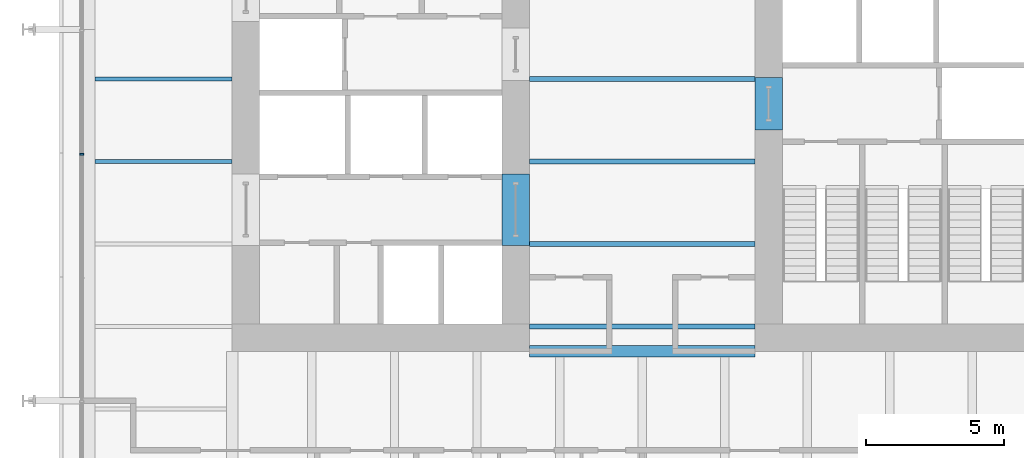
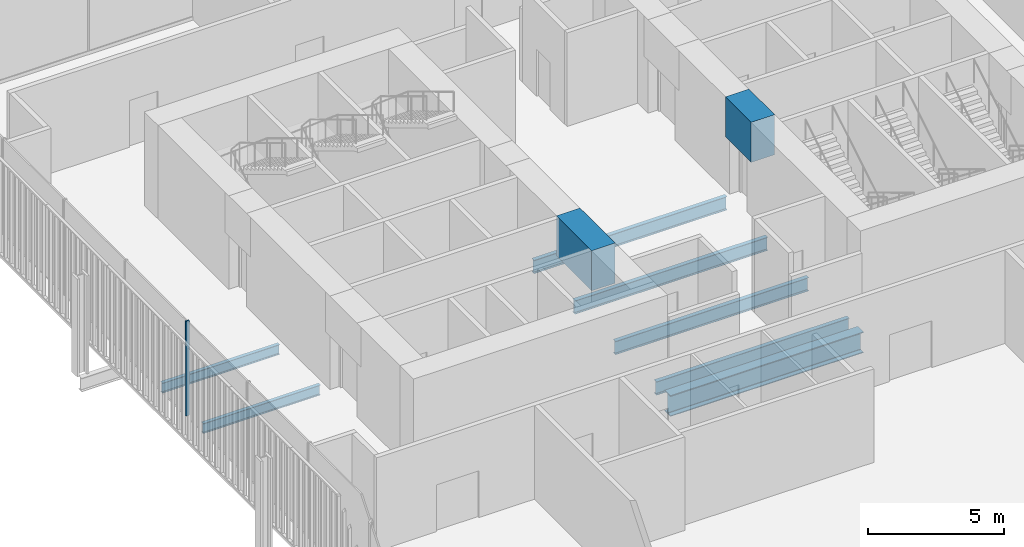
# One storey, part 7 of 20: 9 beams, 1 member, 1 element without a shape of its own.
"""IFC4 building model written with IfcOpenShell, lengths in metres."""

from ifc_helpers import new_model, si_unit, direction, frame, origin, origin_2d, place, context, subcontext, project, spatial, rectangle, i_section, extrude, material, layer, layer_set, material_profile, profile_set, type_object, element, aggregate, save


model = new_model("IFC4")

# Units and contexts
model_context = context("Model", 3, precision=1e-05, world=origin(), true_north=direction((0.0, 1.0)))
body_context = subcontext(model_context, "Body", "Model", "MODEL_VIEW")
ifc_project = project(units=[si_unit("LENGTHUNIT", "METRE"), si_unit("AREAUNIT", "SQUARE_METRE"), si_unit("VOLUMEUNIT", "CUBIC_METRE"), si_unit("PLANEANGLEUNIT", "RADIAN"), si_unit("MASSUNIT", "GRAM", prefix="KILO")], contexts=[model_context])

# Site, building, storey
site_placement = place(None, origin())
site = spatial("IfcSite", under=ifc_project, at=site_placement, CompositionType="ELEMENT")
building_placement = place(site_placement, origin())
building = spatial("IfcBuilding", under=site, at=building_placement, Name="Millrace Tower", CompositionType="ELEMENT")
storey_placement = place(building_placement, frame((0.0, 0.0, 86.39990234375)))
storey = spatial("IfcBuildingStorey", under=building, at=storey_placement, Name="L19", CompositionType="ELEMENT", Elevation=86.39990234375)

# Curtain wall, member
ifc_material_1 = material(Name="Aluminium and glass", Category="aluminium")
ifc_layer = layer(ifc_material_1, 0.14990234375)
ifc_layer_set = layer_set([ifc_layer], Name="Aluminium and glass")
curtain_wall_type = type_object("IfcCurtainWallType", Name="CW-3 telecom floor curtain wall", PredefinedType="NOTDEFINED", material=ifc_layer_set)
curtain_wall_placement = place(storey_placement, origin())
curtain_wall = element("IfcCurtainWall", 1, at=curtain_wall_placement, inside=storey, type_object=curtain_wall_type, Name="Curtain wall B-F08 L19", PredefinedType="NOTDEFINED")
ifc_material_2 = material(Name="Aluminium", Category="aluminium")
ifc_material_profile_1 = material_profile(ifc_material_2, rectangle(XDim=0.06494140625, YDim=0.14990234375, at=origin_2d()))
ifc_profile_set_1 = profile_set([ifc_material_profile_1], Name="Aluminium")
member_type = type_object("IfcMemberType", Name="CW-3 telecom floor curtain wall mullion", PredefinedType="MULLION", material=ifc_profile_set_1)
member_placement = place(storey_placement, frame((-20.375, -2.732421875, 0.150146484375), z_axis=(0.0, 0.0, 1.0), x_axis=(0.0, -1.0, 0.0)))
member = element("IfcMember", 2, at=member_placement, type_object=member_type, Name="CW3 mullion B-F08.5", PredefinedType="MULLION", context=body_context, shape_type="SweptSolid", body=[
    extrude(rectangle(XDim=0.06494140625, YDim=0.14990234375, at=origin_2d()), origin(), (0.0, 0.0, 1.0), 4.25),
])
aggregate(curtain_wall, [member])

# Beams
ifc_material_3 = material(Name="Concrete C80", Category="concrete")
ifc_material_profile_2 = material_profile(ifc_material_3, rectangle(XDim=1.0, YDim=1.800048828125, at=origin_2d()))
ifc_profile_set_2 = profile_set([ifc_material_profile_2], Name="Concrete C80")
beam_type_1 = type_object("IfcBeamType", Name="Coupling beam 1000 x 1800 Concrete C80, 1300 opening", PredefinedType="BEAM", material=ifc_profile_set_2)
beam_1_placement = place(storey_placement, frame((4.60009765625, 0.050048828125, 3.300048828125), z_axis=(0.0, -1.0, 0.0), x_axis=(1.0, 0.0, 0.0)))
element("IfcBeam", 3, at=beam_1_placement, inside=storey, type_object=beam_type_1, Name="Coupling beam E L19", PredefinedType="BEAM", context=body_context, shape_type="SweptSolid", body=[
    extrude(rectangle(XDim=1.0, YDim=1.800048828125, at=origin_2d()), origin(), (0.0, 0.0, 1.0), 1.900146484375),
])
ifc_material_4 = material(Name="Concrete C80", Category="concrete")
ifc_material_profile_3 = material_profile(ifc_material_4, rectangle(XDim=1.0, YDim=1.800048828125, at=origin_2d()))
ifc_profile_set_3 = profile_set([ifc_material_profile_3], Name="Concrete C80")
beam_type_2 = type_object("IfcBeamType", Name="Coupling beam 1000 x 1800 Concrete C80, 2000 opening", PredefinedType="BEAM", material=ifc_profile_set_3)
beam_2_placement = place(storey_placement, frame((-4.60009765625, -6.050048828125, 3.300048828125), z_axis=(0.0, 1.0, 0.0), x_axis=(-1.0, 0.0, 0.0)))
element("IfcBeam", 4, at=beam_2_placement, inside=storey, type_object=beam_type_2, Name="Coupling beam W L19", PredefinedType="BEAM", context=body_context, shape_type="SweptSolid", body=[
    extrude(rectangle(XDim=1.0, YDim=1.800048828125, at=origin_2d()), origin(), (0.0, 0.0, 1.0), 2.60009765625),
])
ifc_material_5 = material(Name="Steel ASTM A992 Grade 50", Category="steel")
ifc_material_profile_4 = material_profile(ifc_material_5, i_section(OverallWidth=0.15234375, OverallDepth=0.449462890625, WebThickness=0.007568359375, FlangeThickness=0.0107421875, FilletRadius=0.01025390625, at=origin_2d()))
ifc_profile_set_4 = profile_set([ifc_material_profile_4], Name="Steel ASTM A992 Grade 50")
beam_type_3 = type_object("IfcBeamType", Name="Floor beam W18x35", PredefinedType="JOIST", material=ifc_profile_set_4)
for number, where, z_axis, x_axis, name in (
    (5, (-19.880859375, -3.0, -0.4248046875), (1.0, 0.0, 0.0), (0.0, 1.0, 0.0), "BM-B-L19-S1-S020"),
    (6, (-19.880859375, 0.0, -0.4248046875), (1.0, 0.0, 0.0), (0.0, 1.0, 0.0), "BM-B-L19-S1-S023"),
):
    element("IfcBeam", number, at=place(storey_placement, frame(where, z_axis=z_axis, x_axis=x_axis)), inside=storey, type_object=beam_type_3, Name=name, PredefinedType="JOIST", context=body_context, shape_type="SweptSolid", body=[
        extrude(i_section(OverallWidth=0.15234375, OverallDepth=0.449462890625, WebThickness=0.007568359375, FlangeThickness=0.0107421875, FilletRadius=0.01025390625, at=origin_2d()), origin(), (0.0, 0.0, 1.0), 4.98095703125),
    ])
ifc_material_6 = material(Name="Steel ASTM A992 Grade 50", Category="steel")
ifc_material_profile_5 = material_profile(ifc_material_6, i_section(OverallWidth=0.177978515625, OverallDepth=0.599365234375, WebThickness=0.010009765625, FlangeThickness=0.012939453125, FilletRadius=0.012939453125, at=origin_2d()))
ifc_profile_set_5 = profile_set([ifc_material_profile_5], Name="Steel ASTM A992 Grade 50")
beam_type_4 = type_object("IfcBeamType", Name="Floor beam W24x55", PredefinedType="JOIST", material=ifc_profile_set_5)
for number, where, z_axis, x_axis, name in (
    (7, (-4.10009765625, -9.0, -0.49951171875), (1.0, 0.0, 0.0), (0.0, 1.0, 0.0), "BM-B-L19-S1-S013"),
    (8, (-4.10009765625, -6.0, -0.49951171875), (1.0, 0.0, 0.0), (0.0, 1.0, 0.0), "BM-B-L19-S1-S016"),
    (9, (-4.10009765625, -3.0, -0.49951171875), (1.0, 0.0, 0.0), (0.0, 1.0, 0.0), "BM-B-L19-S1-S019"),
    (10, (-4.10009765625, 0.0, -0.49951171875), (1.0, 0.0, 0.0), (0.0, 1.0, 0.0), "BM-B-L19-S1-S022"),
):
    element("IfcBeam", number, at=place(storey_placement, frame(where, z_axis=z_axis, x_axis=x_axis)), inside=storey, type_object=beam_type_4, Name=name, PredefinedType="JOIST", context=body_context, shape_type="SweptSolid", body=[
        extrude(i_section(OverallWidth=0.177978515625, OverallDepth=0.599365234375, WebThickness=0.010009765625, FlangeThickness=0.012939453125, FilletRadius=0.012939453125, at=origin_2d()), origin(), (0.0, 0.0, 1.0), 8.2001953125),
    ])
ifc_material_7 = material(Name="Steel ASTM A992 Grade 50", Category="steel")
ifc_material_profile_6 = material_profile(ifc_material_7, i_section(OverallWidth=0.421630859375, OverallDepth=0.937255859375, WebThickness=0.021240234375, FlangeThickness=0.03662109375, FilletRadius=0.024169921875, at=origin_2d()))
ifc_profile_set_6 = profile_set([ifc_material_profile_6], Name="Steel ASTM A992 Grade 50")
beam_type_5 = type_object("IfcBeamType", Name="Girder short span W36x262", PredefinedType="BEAM", material=ifc_profile_set_6)
beam_3_placement = place(storey_placement, frame((-4.10009765625, -9.89990234375, -0.66845703125), z_axis=(1.0, 0.0, 0.0), x_axis=(0.0, 1.0, 0.0)))
element("IfcBeam", 11, at=beam_3_placement, inside=storey, type_object=beam_type_5, Name="BM-B-L19-S1-G063", PredefinedType="BEAM", context=body_context, shape_type="SweptSolid", body=[
    extrude(i_section(OverallWidth=0.421630859375, OverallDepth=0.937255859375, WebThickness=0.021240234375, FlangeThickness=0.03662109375, FilletRadius=0.024169921875, at=origin_2d()), origin(), (0.0, 0.0, 1.0), 8.2001953125),
])

save(model, "model.ifc")
